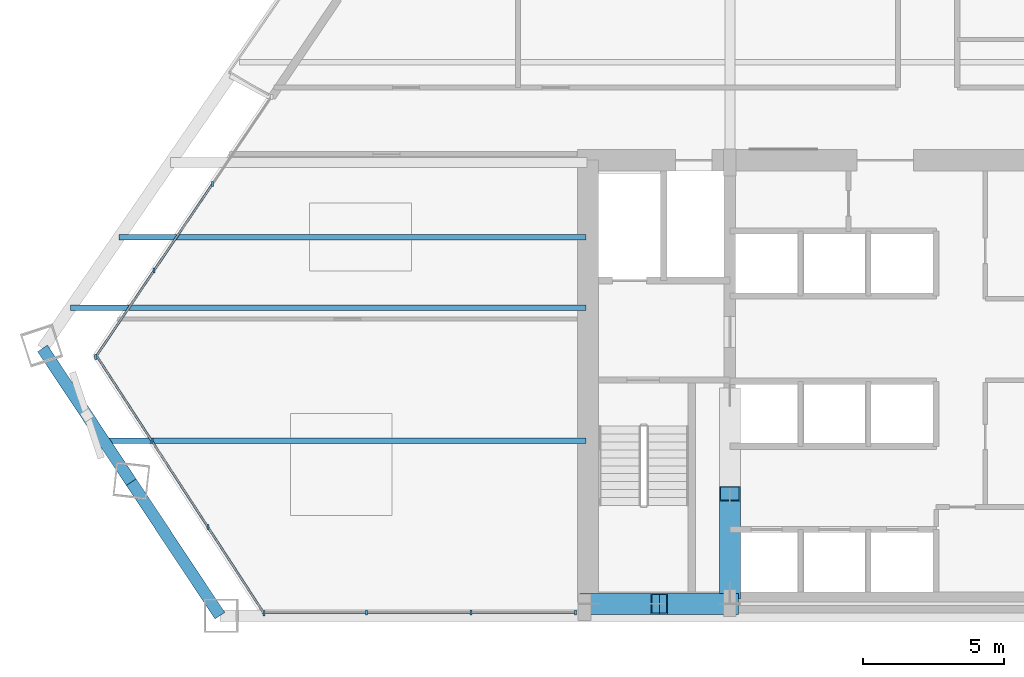
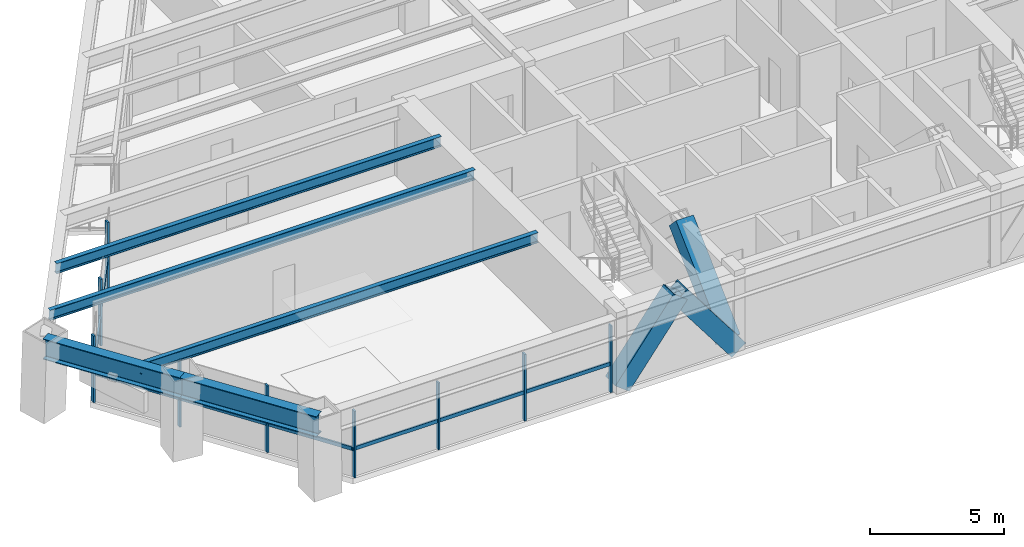
# One storey, part 2 of 14: 20 members, 5 beams, 3 elements without a shape of their own.
"""IFC4 building model written with IfcOpenShell, lengths in metres."""

from ifc_helpers import new_model, si_unit, direction, frame, origin, origin_2d, place, context, subcontext, project, spatial, rectangle, hollow_rectangle, i_section, extrude, source, transform, mapped, material, material_profile, profile_set, type_object, type_shapes, element, aggregate, save


model = new_model("IFC4")

# Units and contexts
model_context = context("Model", 3, precision=1e-05, world=origin(), true_north=direction((0.0, 1.0)))
body_context = subcontext(model_context, "Body", "Model", "MODEL_VIEW")
ifc_project = project(units=[si_unit("LENGTHUNIT", "METRE"), si_unit("AREAUNIT", "SQUARE_METRE"), si_unit("VOLUMEUNIT", "CUBIC_METRE"), si_unit("PLANEANGLEUNIT", "RADIAN"), si_unit("MASSUNIT", "GRAM", prefix="KILO")], contexts=[model_context])

# Site, building, storey
site_placement = place(None, origin())
site = spatial("IfcSite", under=ifc_project, at=site_placement, CompositionType="ELEMENT")
building_placement = place(site_placement, origin())
building = spatial("IfcBuilding", under=site, at=building_placement, Name="Varnakhor Terracotta Tower", CompositionType="ELEMENT")
storey_placement = place(building_placement, frame((0.0, 0.0, 87.699951171875)))
storey = spatial("IfcBuildingStorey", under=building, at=storey_placement, Name="L21", CompositionType="ELEMENT", Elevation=87.699951171875)

# Members
ifc_material_1 = material(Name="Steel S460", Category="steel")
ifc_material_profile_1 = material_profile(ifc_material_1, hollow_rectangle(XDim=0.75, YDim=0.75, WallThickness=0.044921875, at=origin_2d()), Name="HSS750X750X45")
ifc_profile_set_1 = profile_set([ifc_material_profile_1], Name="Steel S460")
member_type_1 = type_object("IfcMemberType", Name="MBR-MEGA-750", PredefinedType="BRACE", material=ifc_profile_set_1)
shared_shape_1 = source(origin(), body_context, "Body", "SweptSolid", [
    extrude(hollow_rectangle(XDim=0.75, YDim=0.75, WallThickness=0.044921875, at=origin_2d()), origin(), (0.0, 0.0, 1.0), 4.14013671875),
])
type_shapes(member_type_1, [shared_shape_1])
for number, where, z_axis, x_axis, name in (
    (1, (-10.5, 0.419921875, 0.0), (0.603852011179, 0.0, 0.797096448741), (0.0, 1.0, 0.0), "L21 Core Coupled Brace CSWA"),
    (2, (-5.5, 0.419921875, 0.0), (-0.603852011179, 0.0, 0.797096448741), (0.0, -1.0, 0.0), "L21 Core Coupled Brace CSWB"),
):
    element("IfcMember", number, at=place(storey_placement, frame(where, z_axis=z_axis, x_axis=x_axis)), inside=storey, type_object=member_type_1, Name=name, PredefinedType="BRACE", context=body_context, shape_type="MappedRepresentation", body=[
        mapped(shared_shape_1, transform((0.0, 0.0, 0.0), scale=1.0)),
    ])
shared_shape_2 = source(origin(), body_context, "Body", "SweptSolid", [
    extrude(hollow_rectangle(XDim=0.75, YDim=0.75, WallThickness=0.044921875, at=origin_2d()), origin(), (0.0, 0.0, 1.0), 4.792236328125),
])
member_1_placement = place(storey_placement, frame((-5.5, 0.85009765625, 0.0), z_axis=(0.0, 0.725110085518, 0.688632967466), x_axis=(-1.0, 0.0, 0.0)))
element("IfcMember", 3, at=member_1_placement, inside=storey, type_object=member_type_1, Name="L21 Core Coupled Brace CWWA", PredefinedType="BRACE", context=body_context, shape_type="MappedRepresentation", body=[
    mapped(shared_shape_2, transform((0.0, 0.0, 0.0), scale=1.0)),
])

# Beams
ifc_material_2 = material(Name="Steel S355", Category="steel")
ifc_material_profile_2 = material_profile(ifc_material_2, i_section(OverallWidth=0.41796875, OverallDepth=0.927001953125, WebThickness=0.01904296875, FlangeThickness=0.031982421875, FilletRadius=0.01806640625, at=origin_2d()), Name="W36X231")
ifc_profile_set_2 = profile_set([ifc_material_profile_2], Name="Steel S355")
beam_type_1 = type_object("IfcBeamType", Name="BM-W36X231", PredefinedType="BEAM", material=ifc_profile_set_2)
shared_shape_3 = source(origin(), body_context, "Body", "SweptSolid", [
    extrude(i_section(OverallWidth=0.41796875, OverallDepth=0.927001953125, WebThickness=0.01904296875, FlangeThickness=0.031982421875, FilletRadius=0.01806640625, at=origin_2d()), origin(), (0.0, 0.0, 1.0), 5.677978515625),
])
beam_1_placement = place(storey_placement, frame((-29.83056640625, 9.4619140625, 2.986572265625), z_axis=(0.552952599413, -0.833212711619, 0.0), x_axis=(0.833212711619, 0.552952599413, 0.0)))
element("IfcBeam", 4, at=beam_1_placement, inside=storey, type_object=beam_type_1, Name="L21 Perimeter Spandrel 7", PredefinedType="BEAM", context=body_context, shape_type="MappedRepresentation", body=[
    mapped(shared_shape_3, transform((0.0, 0.0, 0.0), scale=1.0)),
])
shared_shape_4 = source(origin(), body_context, "Body", "SweptSolid", [
    extrude(i_section(OverallWidth=0.41796875, OverallDepth=0.927001953125, WebThickness=0.01904296875, FlangeThickness=0.031982421875, FilletRadius=0.01806640625, at=origin_2d()), origin(), (0.0, 0.0, 1.0), 5.677734375),
])
beam_2_placement = place(storey_placement, frame((-26.69091796875, 4.73095703125, 2.986572265625), z_axis=(0.55292274736, -0.83323252184, 0.0), x_axis=(0.83323252184, 0.55292274736, 0.0)))
element("IfcBeam", 5, at=beam_2_placement, inside=storey, type_object=beam_type_1, Name="L21 Perimeter Spandrel 8", PredefinedType="BEAM", context=body_context, shape_type="MappedRepresentation", body=[
    mapped(shared_shape_4, transform((0.0, 0.0, 0.0), scale=1.0)),
])
ifc_material_profile_3 = material_profile(ifc_material_2, i_section(OverallWidth=0.19189453125, OverallDepth=0.462890625, WebThickness=0.010498046875, FlangeThickness=0.017578125, FilletRadius=0.01806640625, at=origin_2d()), Name="W18X60")
ifc_profile_set_3 = profile_set([ifc_material_profile_3], Name="Steel S355")
beam_type_2 = type_object("IfcBeamType", Name="JST-W18X60", PredefinedType="JOIST", material=ifc_profile_set_3)
shared_shape_5 = source(origin(), body_context, "Body", "SweptSolid", [
    extrude(i_section(OverallWidth=0.19189453125, OverallDepth=0.462890625, WebThickness=0.010498046875, FlangeThickness=0.017578125, FilletRadius=0.01806640625, at=origin_2d()), origin(), (0.0, 0.0, 1.0), 17.06591796875),
])
beam_3_placement = place(storey_placement, frame((-27.666015625, 6.199951171875, 3.218505859375), z_axis=(1.0, 0.0, 0.0), x_axis=(0.0, 1.0, 0.0)))
element("IfcBeam", 6, at=beam_3_placement, inside=storey, type_object=beam_type_2, Name="L21 Floor Joist W1", PredefinedType="JOIST", context=body_context, shape_type="MappedRepresentation", body=[
    mapped(shared_shape_5, transform((0.0, 0.0, 0.0), scale=1.0)),
])
shared_shape_6 = source(origin(), body_context, "Body", "SweptSolid", [
    extrude(i_section(OverallWidth=0.19189453125, OverallDepth=0.462890625, WebThickness=0.010498046875, FlangeThickness=0.017578125, FilletRadius=0.01806640625, at=origin_2d()), origin(), (0.0, 0.0, 1.0), 18.241455078125),
])
beam_4_placement = place(storey_placement, frame((-28.841552734375, 10.89990234375, 3.218505859375), z_axis=(1.0, 0.0, 0.0), x_axis=(0.0, 1.0, 0.0)))
element("IfcBeam", 7, at=beam_4_placement, inside=storey, type_object=beam_type_2, Name="L21 Floor Joist W2", PredefinedType="JOIST", context=body_context, shape_type="MappedRepresentation", body=[
    mapped(shared_shape_6, transform((0.0, 0.0, 0.0), scale=1.0)),
])
shared_shape_7 = source(origin(), body_context, "Body", "SweptSolid", [
    extrude(i_section(OverallWidth=0.19189453125, OverallDepth=0.462890625, WebThickness=0.010498046875, FlangeThickness=0.017578125, FilletRadius=0.01806640625, at=origin_2d()), origin(), (0.0, 0.0, 1.0), 16.522216796875),
])
beam_5_placement = place(storey_placement, frame((-27.122314453125, 13.39990234375, 3.218505859375), z_axis=(1.0, 0.0, 0.0), x_axis=(0.0, 1.0, 0.0)))
element("IfcBeam", 8, at=beam_5_placement, inside=storey, type_object=beam_type_2, Name="L21 Floor Joist W3", PredefinedType="JOIST", context=body_context, shape_type="MappedRepresentation", body=[
    mapped(shared_shape_7, transform((0.0, 0.0, 0.0), scale=1.0)),
])

# Curtain wall, members
ifc_material_3 = material(Name="Anodised Aluminium Curtain Wall System", Category="aluminium")
curtain_wall_type = type_object("IfcCurtainWallType", Name="CW-SYS-LOW-OFFICE", PredefinedType="NOTDEFINED", material=ifc_material_3)
curtain_wall_1_placement = place(storey_placement, origin())
curtain_wall_1 = element("IfcCurtainWall", 9, at=curtain_wall_1_placement, inside=storey, type_object=curtain_wall_type, Name="L21 W Facet Curtain Wall 1", PredefinedType="NOTDEFINED")
ifc_material_4 = material(Name="Anodised Aluminium 6063-T6", Category="aluminium")
ifc_material_profile_4 = material_profile(ifc_material_4, rectangle(XDim=0.074951171875, YDim=0.18505859375, at=origin_2d()), Name="ALU MULLION 75x185")
ifc_profile_set_4 = profile_set([ifc_material_profile_4], Name="Anodised Aluminium 6063-T6")
member_type_2 = type_object("IfcMemberType", Name="CWM-02", PredefinedType="MULLION", material=ifc_profile_set_4)
shared_shape_8 = source(origin(), body_context, "Body", "SweptSolid", [
    extrude(rectangle(XDim=0.074951171875, YDim=0.18505859375, at=origin_2d()), origin(), (0.0, 0.0, 1.0), 3.030029296875),
])
type_shapes(member_type_2, [shared_shape_8])
member_2_placement = place(storey_placement, frame((-27.946533203125, 9.162353515625, 0.0), z_axis=(0.0, 0.0, 1.0), x_axis=(1.0, 0.0, 0.0)))
member_2 = element("IfcMember", 10, at=member_2_placement, type_object=member_type_2, Name="L21 W Facet Curtain Wall 1 Mullion 1", PredefinedType="MULLION", context=body_context, shape_type="MappedRepresentation", body=[
    mapped(shared_shape_8, transform((0.0, 0.0, 0.0), scale=1.0)),
])
member_3_placement = place(storey_placement, frame((-25.881103515625, 12.223388671875, 0.0), z_axis=(0.0, 0.0, 1.0), x_axis=(1.0, 0.0, 0.0)))
member_3 = element("IfcMember", 11, at=member_3_placement, type_object=member_type_2, Name="L21 W Facet Curtain Wall 1 Mullion 2", PredefinedType="MULLION", context=body_context, shape_type="MappedRepresentation", body=[
    mapped(shared_shape_8, transform((0.0, 0.0, 0.0), scale=1.0)),
])
member_4_placement = place(storey_placement, frame((-23.815673828125, 15.284423828125, 0.0), z_axis=(0.0, 0.0, 1.0), x_axis=(1.0, 0.0, 0.0)))
member_4 = element("IfcMember", 12, at=member_4_placement, type_object=member_type_2, Name="L21 W Facet Curtain Wall 1 Mullion 3", PredefinedType="MULLION", context=body_context, shape_type="MappedRepresentation", body=[
    mapped(shared_shape_8, transform((0.0, 0.0, 0.0), scale=1.0)),
])

curtain_wall_2_placement = place(storey_placement, origin())
curtain_wall_2 = element("IfcCurtainWall", 13, at=curtain_wall_2_placement, inside=storey, type_object=curtain_wall_type, Name="L21 South Wing Curtain Wall SSW", PredefinedType="NOTDEFINED")
member_5_placement = place(storey_placement, frame((-10.969970703125, 0.1201171875, 0.0), z_axis=(0.0, 0.0, 1.0), x_axis=(1.0, 0.0, 0.0)))
member_5 = element("IfcMember", 14, at=member_5_placement, type_object=member_type_2, Name="L21 South Wing Curtain Wall SSW Mullion 1", PredefinedType="MULLION", context=body_context, shape_type="MappedRepresentation", body=[
    mapped(shared_shape_8, transform((0.0, 0.0, 0.0), scale=1.0)),
])
member_6_placement = place(storey_placement, frame((-14.669677734375, 0.1201171875, 0.0), z_axis=(0.0, 0.0, 1.0), x_axis=(1.0, 0.0, 0.0)))
member_6 = element("IfcMember", 15, at=member_6_placement, type_object=member_type_2, Name="L21 South Wing Curtain Wall SSW Mullion 2", PredefinedType="MULLION", context=body_context, shape_type="MappedRepresentation", body=[
    mapped(shared_shape_8, transform((0.0, 0.0, 0.0), scale=1.0)),
])
member_7_placement = place(storey_placement, frame((-18.369384765625, 0.1201171875, 0.0), z_axis=(0.0, 0.0, 1.0), x_axis=(1.0, 0.0, 0.0)))
member_7 = element("IfcMember", 16, at=member_7_placement, type_object=member_type_2, Name="L21 South Wing Curtain Wall SSW Mullion 3", PredefinedType="MULLION", context=body_context, shape_type="MappedRepresentation", body=[
    mapped(shared_shape_8, transform((0.0, 0.0, 0.0), scale=1.0)),
])

curtain_wall_3_placement = place(storey_placement, origin())
curtain_wall_3 = element("IfcCurtainWall", 17, at=curtain_wall_3_placement, inside=storey, type_object=curtain_wall_type, Name="L21 Facet Curtain Wall 6", PredefinedType="NOTDEFINED")
member_8_placement = place(storey_placement, frame((-21.99462890625, 0.090576171875, 0.0), z_axis=(0.0, 0.0, 1.0), x_axis=(1.0, 0.0, 0.0)))
member_8 = element("IfcMember", 18, at=member_8_placement, type_object=member_type_2, Name="L21 Facet Curtain Wall 6 Mullion 1", PredefinedType="MULLION", context=body_context, shape_type="MappedRepresentation", body=[
    mapped(shared_shape_8, transform((0.0, 0.0, 0.0), scale=1.0)),
])
member_9_placement = place(storey_placement, frame((-23.978515625, 3.14208984375, 0.0), z_axis=(0.0, 0.0, 1.0), x_axis=(1.0, 0.0, 0.0)))
member_9 = element("IfcMember", 19, at=member_9_placement, type_object=member_type_2, Name="L21 Facet Curtain Wall 6 Mullion 2", PredefinedType="MULLION", context=body_context, shape_type="MappedRepresentation", body=[
    mapped(shared_shape_8, transform((0.0, 0.0, 0.0), scale=1.0)),
])
member_10_placement = place(storey_placement, frame((-25.962158203125, 6.193603515625, 0.0), z_axis=(0.0, 0.0, 1.0), x_axis=(1.0, 0.0, 0.0)))
member_10 = element("IfcMember", 20, at=member_10_placement, type_object=member_type_2, Name="L21 Facet Curtain Wall 6 Mullion 3", PredefinedType="MULLION", context=body_context, shape_type="MappedRepresentation", body=[
    mapped(shared_shape_8, transform((0.0, 0.0, 0.0), scale=1.0)),
])

# Member
ifc_material_profile_5 = material_profile(ifc_material_4, rectangle(XDim=0.074951171875, YDim=0.1650390625, at=origin_2d()), Name="ALU TRANSOM 75x165")
ifc_profile_set_5 = profile_set([ifc_material_profile_5], Name="Anodised Aluminium 6063-T6")
member_type_3 = type_object("IfcMemberType", Name="CWT-02", PredefinedType="USERDEFINED", material=ifc_profile_set_5)
shared_shape_9 = source(origin(), body_context, "Body", "SweptSolid", [
    extrude(rectangle(XDim=0.074951171875, YDim=0.1650390625, at=origin_2d()), origin(), (0.0, 0.0, 1.0), 3.692626953125),
])
member_11_placement = place(storey_placement, frame((-27.946533203125, 9.162353515625, 1.272705078125), z_axis=(0.559329773357, 0.828945236211, 0.0), x_axis=(-0.828945236211, 0.559329773357, 0.0)))
member_11 = element("IfcMember", 21, at=member_11_placement, type_object=member_type_3, Name="L21 W Facet Curtain Wall 1 Transom 1", ObjectType="TRANSOM", PredefinedType="USERDEFINED", context=body_context, shape_type="MappedRepresentation", body=[
    mapped(shared_shape_9, transform((0.0, 0.0, 0.0), scale=1.0)),
])

member_12_placement = place(storey_placement, frame((-25.881103515625, 12.223388671875, 1.272705078125), z_axis=(0.559329773357, 0.828945236211, 0.0), x_axis=(-0.828945236211, 0.559329773357, 0.0)))
member_12 = element("IfcMember", 22, at=member_12_placement, type_object=member_type_3, Name="L21 W Facet Curtain Wall 1 Transom 2", ObjectType="TRANSOM", PredefinedType="USERDEFINED", context=body_context, shape_type="MappedRepresentation", body=[
    mapped(shared_shape_9, transform((0.0, 0.0, 0.0), scale=1.0)),
])

aggregate(curtain_wall_1, [member_2, member_11, member_3, member_12, member_4])

shared_shape_10 = source(origin(), body_context, "Body", "SweptSolid", [
    extrude(rectangle(XDim=0.074951171875, YDim=0.1650390625, at=origin_2d()), origin(), (0.0, 0.0, 1.0), 3.69970703125),
])
member_13_placement = place(storey_placement, frame((-10.969970703125, 0.1201171875, 1.272705078125), z_axis=(-1.0, 0.0, 0.0), x_axis=(0.0, -1.0, 0.0)))
member_13 = element("IfcMember", 23, at=member_13_placement, type_object=member_type_3, Name="L21 South Wing Curtain Wall SSW Transom 1", ObjectType="TRANSOM", PredefinedType="USERDEFINED", context=body_context, shape_type="MappedRepresentation", body=[
    mapped(shared_shape_10, transform((0.0, 0.0, 0.0), scale=1.0)),
])

member_14_placement = place(storey_placement, frame((-14.669677734375, 0.1201171875, 1.272705078125), z_axis=(-1.0, 0.0, 0.0), x_axis=(0.0, -1.0, 0.0)))
member_14 = element("IfcMember", 24, at=member_14_placement, type_object=member_type_3, Name="L21 South Wing Curtain Wall SSW Transom 2", ObjectType="TRANSOM", PredefinedType="USERDEFINED", context=body_context, shape_type="MappedRepresentation", body=[
    mapped(shared_shape_10, transform((0.0, 0.0, 0.0), scale=1.0)),
])

member_15_placement = place(storey_placement, frame((-18.369384765625, 0.1201171875, 1.272705078125), z_axis=(-1.0, 0.0, 0.0), x_axis=(0.0, -1.0, 0.0)))
member_15 = element("IfcMember", 25, at=member_15_placement, type_object=member_type_3, Name="L21 South Wing Curtain Wall SSW Transom 3", ObjectType="TRANSOM", PredefinedType="USERDEFINED", context=body_context, shape_type="MappedRepresentation", body=[
    mapped(shared_shape_10, transform((0.0, 0.0, 0.0), scale=1.0)),
])

aggregate(curtain_wall_2, [member_5, member_13, member_6, member_14, member_7, member_15])

shared_shape_11 = source(origin(), body_context, "Body", "SweptSolid", [
    extrude(rectangle(XDim=0.074951171875, YDim=0.1650390625, at=origin_2d()), origin(), (0.0, 0.0, 1.0), 3.6396484375),
])
member_16_placement = place(storey_placement, frame((-21.99462890625, 0.090576171875, 1.272705078125), z_axis=(-0.545066152632, 0.838393039841, 0.0), x_axis=(-0.838393039841, -0.545066152632, 0.0)))
member_16 = element("IfcMember", 26, at=member_16_placement, type_object=member_type_3, Name="L21 Facet Curtain Wall 6 Transom 1", ObjectType="TRANSOM", PredefinedType="USERDEFINED", context=body_context, shape_type="MappedRepresentation", body=[
    mapped(shared_shape_11, transform((0.0, 0.0, 0.0), scale=1.0)),
])

member_17_placement = place(storey_placement, frame((-23.978515625, 3.14208984375, 1.272705078125), z_axis=(-0.545019001563, 0.838423692374, 0.0), x_axis=(-0.838423692374, -0.545019001563, 0.0)))
member_17 = element("IfcMember", 27, at=member_17_placement, type_object=member_type_3, Name="L21 Facet Curtain Wall 6 Transom 2", ObjectType="TRANSOM", PredefinedType="USERDEFINED", context=body_context, shape_type="MappedRepresentation", body=[
    mapped(shared_shape_11, transform((0.0, 0.0, 0.0), scale=1.0)),
])

member_18_placement = place(storey_placement, frame((-25.962158203125, 6.193603515625, 1.272705078125), z_axis=(-0.545019001563, 0.838423692374, 0.0), x_axis=(-0.838423692374, -0.545019001563, 0.0)))
member_18 = element("IfcMember", 28, at=member_18_placement, type_object=member_type_3, Name="L21 Facet Curtain Wall 6 Transom 3", ObjectType="TRANSOM", PredefinedType="USERDEFINED", context=body_context, shape_type="MappedRepresentation", body=[
    mapped(shared_shape_11, transform((0.0, 0.0, 0.0), scale=1.0)),
])

aggregate(curtain_wall_3, [member_8, member_16, member_9, member_17, member_10, member_18])

save(model, "model.ifc")
